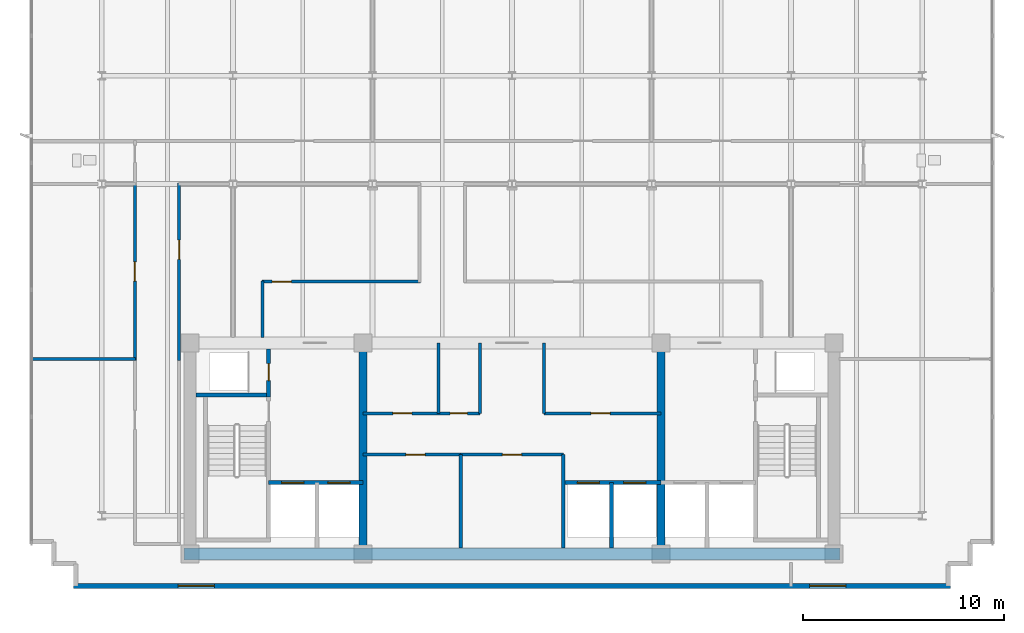
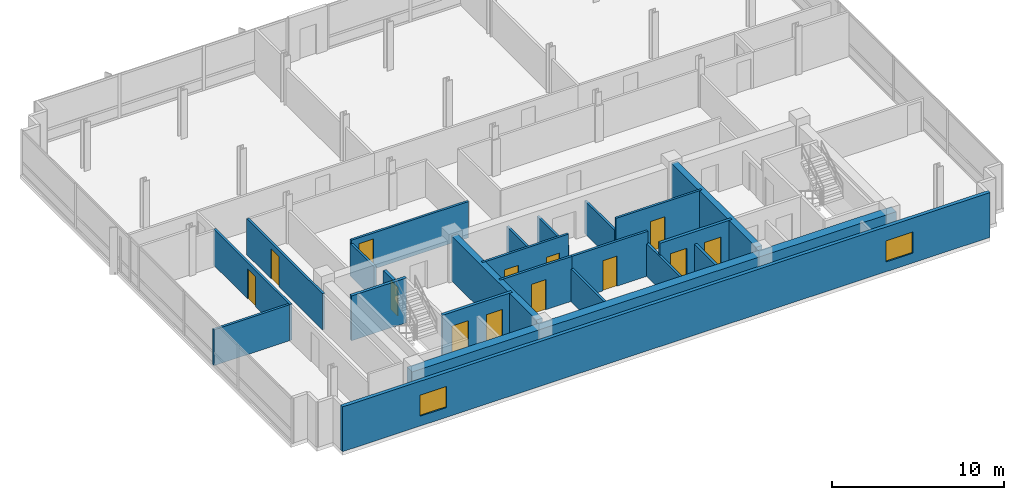
# One storey, part 8 of 13: 23 walls, 13 doors, 2 windows, 15 openings.
"""IFC4 building model written with IfcOpenShell, lengths in metres."""

from ifc_helpers import new_model, si_unit, direction, frame, frame_2d, origin, place, context, subcontext, project, spatial, rectangle, extrude, material, layer, layer_set, type_object, element, fill, save


model = new_model("IFC4")

# Units and contexts
model_context = context("Model", 3, precision=1e-05, world=origin(), true_north=direction((0.0, 1.0)))
body_context = subcontext(model_context, "Body", "Model", "MODEL_VIEW")
ifc_project = project(units=[si_unit("LENGTHUNIT", "METRE"), si_unit("AREAUNIT", "SQUARE_METRE"), si_unit("VOLUMEUNIT", "CUBIC_METRE"), si_unit("PLANEANGLEUNIT", "RADIAN"), si_unit("MASSUNIT", "GRAM", prefix="KILO")], contexts=[model_context])

# Site, building, storey
site_placement = place(None, origin())
site = spatial("IfcSite", under=ifc_project, at=site_placement, CompositionType="ELEMENT")
building_placement = place(site_placement, origin())
building = spatial("IfcBuilding", under=site, at=building_placement, Name="Solmavex Isthmus Hotel", CompositionType="ELEMENT")
storey_placement = place(building_placement, frame((0.0, 0.0, 276.449951171875)))
storey = spatial("IfcBuildingStorey", under=building, at=storey_placement, Name="L75", CompositionType="ELEMENT", Elevation=276.449951171875)

# Wall, openings, windows
ifc_material_1 = material(Name="Precast Concrete C40/50", Category="concrete")
ifc_layer_1 = layer(ifc_material_1, 0.25)
ifc_layer_set_1 = layer_set([ifc_layer_1], Name="Precast Concrete C40/50")
wall_type_1 = type_object("IfcWallType", Name="EW-TWR-250", PredefinedType="STANDARD", material=ifc_layer_set_1)
wall_1_placement = place(storey_placement, frame((-21.800048828125, -14.580078125, 0.0), z_axis=(0.0, 0.0, 1.0), x_axis=(1.0, 0.0, 0.0)))
wall_1 = element("IfcWall", 1, at=wall_1_placement, inside=storey, type_object=wall_type_1, Name="Tower Rear South Facade Wall L75", PredefinedType="STANDARD", context=body_context, shape_type="SweptSolid", body=[
    extrude(rectangle(XDim=43.60009765625, YDim=0.239990234375, at=frame_2d((21.800048828125, 0.0))), origin(), (0.0, 0.0, 1.0), 3.18994140625),
])
opening_1_placement = place(wall_1_placement, frame((5.2041015625, 0.0, 0.699951171875)))
opening_1 = element("IfcOpeningElement", 2, at=opening_1_placement, cuts=wall_1, Name="Opening WN-02", PredefinedType="OPENING", context=body_context, shape_type="SweptSolid", body=[
    extrude(rectangle(XDim=1.800048828125, YDim=1.5, at=frame_2d((0.89990234375, 0.75))), frame((0.0, 0.1298828125, 0.0), z_axis=(0.0, -1.0, 0.0), x_axis=(1.0, 0.0, 0.0)), (0.0, 0.0, 1.0), 0.260009765625),
])
opening_2_placement = place(wall_1_placement, frame((36.595947265625, 0.0, 0.699951171875)))
opening_2 = element("IfcOpeningElement", 3, at=opening_2_placement, cuts=wall_1, Name="Opening WN-02", PredefinedType="OPENING", context=body_context, shape_type="SweptSolid", body=[
    extrude(rectangle(XDim=1.800048828125, YDim=1.5, at=frame_2d((0.89990234375, 0.75))), frame((0.0, 0.1298828125, 0.0), z_axis=(0.0, -1.0, 0.0), x_axis=(1.0, 0.0, 0.0)), (0.0, 0.0, 1.0), 0.260009765625),
])
ifc_material_2 = material(Name="Clear low-E laminated glass", Category="glass")
window_type = type_object("IfcWindowType", Name="WIN-TWR-1800", PartitioningType="SINGLE_PANEL", PredefinedType="WINDOW", material=ifc_material_2)
window_1_placement = place(opening_1_placement, origin())
window_1 = element("IfcWindow", 4, at=window_1_placement, inside=storey, type_object=window_type, Name="South Facade Vision Window L75-S1", OverallHeight=1.5, OverallWidth=1.800048828125, PartitioningType="SINGLE_PANEL", PredefinedType="WINDOW", context=body_context, shape_type="SweptSolid", body=[
    extrude(rectangle(XDim=1.800048828125, YDim=1.5, at=frame_2d((0.89990234375, 0.75))), frame((0.0, 0.030029296875, 0.0), z_axis=(0.0, -1.0, 0.0), x_axis=(1.0, 0.0, 0.0)), (0.0, 0.0, 1.0), 0.06005859375),
])
fill(opening_1, window_1)
window_2_placement = place(opening_2_placement, origin())
window_2 = element("IfcWindow", 5, at=window_2_placement, inside=storey, type_object=window_type, Name="South Facade Vision Window L75-S2", OverallHeight=1.5, OverallWidth=1.800048828125, PartitioningType="SINGLE_PANEL", PredefinedType="WINDOW", context=body_context, shape_type="SweptSolid", body=[
    extrude(rectangle(XDim=1.800048828125, YDim=1.5, at=frame_2d((0.89990234375, 0.75))), frame((0.0, 0.030029296875, 0.0), z_axis=(0.0, -1.0, 0.0), x_axis=(1.0, 0.0, 0.0)), (0.0, 0.0, 1.0), 0.06005859375),
])
fill(opening_2, window_2)

# Wall, opening, door
ifc_material_3 = material(Name="Gypsum plasterboard lining", Category="gypsum")
ifc_layer_2 = layer(ifc_material_3, 0.159912109375)
ifc_layer_set_2 = layer_set([ifc_layer_2], Name="Gypsum plasterboard lining")
wall_type_2 = type_object("IfcWallType", Name="IW-COMP-160", PredefinedType="PARTITIONING", material=ifc_layer_set_2)
wall_2_placement = place(storey_placement, frame((-7.39990234375, -8.050048828125, 0.0), z_axis=(0.0, 0.0, 1.0), x_axis=(1.0, 0.0, 0.0)))
wall_2 = element("IfcWall", 6, at=wall_2_placement, inside=storey, type_object=wall_type_2, Name="Interior Partition Wall W-L75-REC-PLL-N", PredefinedType="PARTITIONING", context=body_context, shape_type="SweptSolid", body=[
    extrude(rectangle(XDim=4.849853515625, YDim=0.159912109375, at=frame_2d((2.4248046875, 0.0))), origin(), (0.0, 0.0, 1.0), 3.18994140625),
])
opening_3_placement = place(wall_2_placement, frame((2.125, 0.0, 0.0)))
opening_3 = element("IfcOpeningElement", 7, at=opening_3_placement, cuts=wall_2, Name="Opening ID-C095", PredefinedType="OPENING", context=body_context, shape_type="SweptSolid", body=[
    extrude(rectangle(XDim=0.949951171875, YDim=2.14990234375, at=frame_2d((0.47509765625, 1.074951171875))), frame((0.0, 0.08984375, 0.0), z_axis=(0.0, -1.0, 0.0), x_axis=(1.0, 0.0, 0.0)), (0.0, 0.0, 1.0), 0.179931640625),
])
ifc_material_4 = material(Name="Hardwood timber", Category="wood")
door_type_1 = type_object("IfcDoorType", Name="IDR-FD60-0950", OperationType="NOTDEFINED", PredefinedType="DOOR", material=ifc_material_4)
door_1_placement = place(opening_3_placement, origin())
door_1 = element("IfcDoor", 8, at=door_1_placement, inside=storey, type_object=door_type_1, Name="Linen Reserve Door L75", OperationType="SINGLE_SWING_LEFT", OverallHeight=2.14990234375, OverallWidth=0.949951171875, PredefinedType="DOOR", context=body_context, shape_type="SweptSolid", body=[
    extrude(rectangle(XDim=0.949951171875, YDim=2.14990234375, at=frame_2d((0.47509765625, 1.074951171875))), frame((0.0, 0.02490234375, 0.0), z_axis=(0.0, -1.0, 0.0), x_axis=(1.0, 0.0, 0.0)), (0.0, 0.0, 1.0), 0.050048828125),
])
fill(opening_3, door_1)

# Wall
wall_3_placement = place(storey_placement, frame((-2.550048828125, -12.699951171875, 0.0), z_axis=(0.0, 0.0, 1.0), x_axis=(0.0, 1.0, 0.0)))
element("IfcWall", 9, at=wall_3_placement, inside=storey, type_object=wall_type_2, Name="Interior Partition Wall W-L75-REC-PLL-E", PredefinedType="PARTITIONING", context=body_context, shape_type="SweptSolid", body=[
    extrude(rectangle(XDim=4.64990234375, YDim=0.159912109375, at=frame_2d((2.324951171875, 0.0))), origin(), (0.0, 0.0, 1.0), 2.324951171875),
])

# Wall, opening, door
wall_4_placement = place(storey_placement, frame((-2.550048828125, -8.050048828125, 0.0), z_axis=(0.0, 0.0, 1.0), x_axis=(1.0, 0.0, 0.0)))
wall_4 = element("IfcWall", 10, at=wall_4_placement, inside=storey, type_object=wall_type_2, Name="Interior Partition Wall W-L75-REC-PLM-N", PredefinedType="PARTITIONING", context=body_context, shape_type="SweptSolid", body=[
    extrude(rectangle(XDim=5.10009765625, YDim=0.159912109375, at=frame_2d((2.550048828125, 0.0))), origin(), (0.0, 0.0, 1.0), 3.18994140625),
])
opening_4_placement = place(wall_4_placement, frame((2.074951171875, 0.0, 0.0)))
opening_4 = element("IfcOpeningElement", 11, at=opening_4_placement, cuts=wall_4, Name="Opening ID-C095", PredefinedType="OPENING", context=body_context, shape_type="SweptSolid", body=[
    extrude(rectangle(XDim=0.949951171875, YDim=2.14990234375, at=frame_2d((0.47509765625, 1.074951171875))), frame((0.0, 0.08984375, 0.0), z_axis=(0.0, -1.0, 0.0), x_axis=(1.0, 0.0, 0.0)), (0.0, 0.0, 1.0), 0.179931640625),
])
door_2_placement = place(opening_4_placement, origin())
door_2 = element("IfcDoor", 12, at=door_2_placement, inside=storey, type_object=door_type_1, Name="Butler Store Door L75", OperationType="SINGLE_SWING_RIGHT", OverallHeight=2.14990234375, OverallWidth=0.949951171875, PredefinedType="DOOR", context=body_context, shape_type="SweptSolid", body=[
    extrude(rectangle(XDim=0.949951171875, YDim=2.14990234375, at=frame_2d((0.47509765625, 1.074951171875))), frame((0.0, 0.02490234375, 0.0), z_axis=(0.0, -1.0, 0.0), x_axis=(1.0, 0.0, 0.0)), (0.0, 0.0, 1.0), 0.050048828125),
])
fill(opening_4, door_2)

# Walls
wall_5_placement = place(storey_placement, frame((2.550048828125, -12.699951171875, 0.0), z_axis=(0.0, 0.0, 1.0), x_axis=(0.0, 1.0, 0.0)))
element("IfcWall", 13, at=wall_5_placement, inside=storey, type_object=wall_type_2, Name="Interior Partition Wall W-L75-REC-PLM-E", PredefinedType="PARTITIONING", context=body_context, shape_type="SweptSolid", body=[
    extrude(rectangle(XDim=4.64990234375, YDim=0.159912109375, at=frame_2d((2.324951171875, 0.0))), origin(), (0.0, 0.0, 1.0), 2.324951171875),
])
wall_6_placement = place(storey_placement, frame((-18.7099609375, -3.300048828125, 0.0), z_axis=(0.0, 0.0, 1.0), x_axis=(-1.0, 0.0, 0.0)))
element("IfcWall", 14, at=wall_6_placement, inside=storey, type_object=wall_type_2, Name="Interior Partition Wall W-L75-P040", PredefinedType="PARTITIONING", context=body_context, shape_type="SweptSolid", body=[
    extrude(rectangle(XDim=5.2099609375, YDim=0.159912109375, at=frame_2d((2.60498046875, 0.0))), origin(), (0.0, 0.0, 1.0), 2.5576171875),
])

# Wall, openings, doors
ifc_layer_3 = layer(ifc_material_3, 0.14990234375)
ifc_layer_set_3 = layer_set([ifc_layer_3], Name="Gypsum plasterboard lining")
wall_type_3 = type_object("IfcWallType", Name="IW-CORR-150", PredefinedType="PARTITIONING", material=ifc_layer_set_3)
wall_7_placement = place(storey_placement, frame((-7.39990234375, -6.0, 0.0), z_axis=(0.0, 0.0, 1.0), x_axis=(1.0, 0.0, 0.0)))
wall_7 = element("IfcWall", 15, at=wall_7_placement, inside=storey, type_object=wall_type_3, Name="Interior Partition Wall W-L75-BOH-WS", PredefinedType="PARTITIONING", context=body_context, shape_type="SweptSolid", body=[
    extrude(rectangle(XDim=5.7998046875, YDim=0.14990234375, at=frame_2d((2.89990234375, 0.0))), origin(), (0.0, 0.0, 1.0), 3.18994140625),
])
opening_5_placement = place(wall_7_placement, frame((1.47509765625, 0.0, 0.0)))
opening_5 = element("IfcOpeningElement", 16, at=opening_5_placement, cuts=wall_7, Name="Opening ID-C095", PredefinedType="OPENING", context=body_context, shape_type="SweptSolid", body=[
    extrude(rectangle(XDim=0.949951171875, YDim=2.14990234375, at=frame_2d((0.47509765625, 1.074951171875))), frame((0.0, 0.0849609375, 0.0), z_axis=(0.0, -1.0, 0.0), x_axis=(1.0, 0.0, 0.0)), (0.0, 0.0, 1.0), 0.169921875),
])
opening_6_placement = place(wall_7_placement, frame((4.324951171875, 0.0, 0.0)))
opening_6 = element("IfcOpeningElement", 17, at=opening_6_placement, cuts=wall_7, Name="Opening ID-R085", PredefinedType="OPENING", context=body_context, shape_type="SweptSolid", body=[
    extrude(rectangle(XDim=0.85009765625, YDim=2.050048828125, at=frame_2d((0.425048828125, 1.02490234375))), frame((0.0, 0.0849609375, 0.0), z_axis=(0.0, -1.0, 0.0), x_axis=(1.0, 0.0, 0.0)), (0.0, 0.0, 1.0), 0.169921875),
])
ifc_material_5 = material(Name="Steel ASTM A500 Grade C", Category="steel")
door_type_2 = type_object("IfcDoorType", Name="IDR-FD60-0850", OperationType="NOTDEFINED", PredefinedType="DOOR", material=ifc_material_5)
door_3_placement = place(opening_6_placement, frame((0.85009765625, 0.0, 0.0), z_axis=(0.0, 0.0, 1.0), x_axis=(-1.0, 0.0, 0.0)))
door_3 = element("IfcDoor", 18, at=door_3_placement, inside=storey, type_object=door_type_2, Name="Cleaner Closet Door L75", OperationType="SINGLE_SWING_RIGHT", OverallHeight=2.050048828125, OverallWidth=0.85009765625, PredefinedType="DOOR", context=body_context, shape_type="SweptSolid", body=[
    extrude(rectangle(XDim=0.85009765625, YDim=2.050048828125, at=frame_2d((0.425048828125, 1.02490234375))), frame((0.0, 0.02490234375, 0.0), z_axis=(0.0, -1.0, 0.0), x_axis=(1.0, 0.0, 0.0)), (0.0, 0.0, 1.0), 0.050048828125),
])
fill(opening_6, door_3)
door_4_placement = place(opening_5_placement, frame((0.949951171875, 0.0, 0.0), z_axis=(0.0, 0.0, 1.0), x_axis=(-1.0, 0.0, 0.0)))
door_4 = element("IfcDoor", 19, at=door_4_placement, inside=storey, type_object=door_type_1, Name="Housekeeping Store Door L75", OperationType="SINGLE_SWING_LEFT", OverallHeight=2.14990234375, OverallWidth=0.949951171875, PredefinedType="DOOR", context=body_context, shape_type="SweptSolid", body=[
    extrude(rectangle(XDim=0.949951171875, YDim=2.14990234375, at=frame_2d((0.47509765625, 1.074951171875))), frame((0.0, 0.02490234375, 0.0), z_axis=(0.0, -1.0, 0.0), x_axis=(1.0, 0.0, 0.0)), (0.0, 0.0, 1.0), 0.050048828125),
])
fill(opening_5, door_4)

# Wall
wall_8_placement = place(storey_placement, frame((-1.60009765625, -6.0, 0.0), z_axis=(0.0, 0.0, 1.0), x_axis=(0.0, 1.0, 0.0)))
element("IfcWall", 20, at=wall_8_placement, inside=storey, type_object=wall_type_3, Name="Interior Partition Wall W-L75-BOH-WE", PredefinedType="PARTITIONING", context=body_context, shape_type="SweptSolid", body=[
    extrude(rectangle(XDim=3.5, YDim=0.14990234375, at=frame_2d((1.75, 0.0))), origin(), (0.0, 0.0, 1.0), 2.324951171875),
])

# Wall, opening, door
wall_9_placement = place(storey_placement, frame((1.60009765625, -6.0, 0.0), z_axis=(0.0, 0.0, 1.0), x_axis=(1.0, 0.0, 0.0)))
wall_9 = element("IfcWall", 21, at=wall_9_placement, inside=storey, type_object=wall_type_3, Name="Interior Partition Wall W-L75-BOH-ES", PredefinedType="PARTITIONING", context=body_context, shape_type="SweptSolid", body=[
    extrude(rectangle(XDim=5.7998046875, YDim=0.14990234375, at=frame_2d((2.89990234375, 0.0))), origin(), (0.0, 0.0, 1.0), 3.18994140625),
])
opening_7_placement = place(wall_9_placement, frame((2.324951171875, 0.0, 0.0)))
opening_7 = element("IfcOpeningElement", 22, at=opening_7_placement, cuts=wall_9, Name="Opening ID-C095", PredefinedType="OPENING", context=body_context, shape_type="SweptSolid", body=[
    extrude(rectangle(XDim=0.949951171875, YDim=2.14990234375, at=frame_2d((0.47509765625, 1.074951171875))), frame((0.0, 0.0849609375, 0.0), z_axis=(0.0, -1.0, 0.0), x_axis=(1.0, 0.0, 0.0)), (0.0, 0.0, 1.0), 0.169921875),
])
door_5_placement = place(opening_7_placement, frame((0.949951171875, 0.0, 0.0), z_axis=(0.0, 0.0, 1.0), x_axis=(-1.0, 0.0, 0.0)))
door_5 = element("IfcDoor", 23, at=door_5_placement, inside=storey, type_object=door_type_1, Name="Butler Pantry Door L75", OperationType="SINGLE_SWING_RIGHT", OverallHeight=2.14990234375, OverallWidth=0.949951171875, PredefinedType="DOOR", context=body_context, shape_type="SweptSolid", body=[
    extrude(rectangle(XDim=0.949951171875, YDim=2.14990234375, at=frame_2d((0.47509765625, 1.074951171875))), frame((0.0, 0.02490234375, 0.0), z_axis=(0.0, -1.0, 0.0), x_axis=(1.0, 0.0, 0.0)), (0.0, 0.0, 1.0), 0.050048828125),
])
fill(opening_7, door_5)

# Wall
wall_10_placement = place(storey_placement, frame((1.60009765625, -6.0, 0.0), z_axis=(0.0, 0.0, 1.0), x_axis=(0.0, 1.0, 0.0)))
element("IfcWall", 24, at=wall_10_placement, inside=storey, type_object=wall_type_3, Name="Interior Partition Wall W-L75-BOH-EW", PredefinedType="PARTITIONING", context=body_context, shape_type="SweptSolid", body=[
    extrude(rectangle(XDim=3.5, YDim=0.14990234375, at=frame_2d((1.75, 0.0))), origin(), (0.0, 0.0, 1.0), 2.324951171875),
])

# Wall, opening, door
wall_11_placement = place(storey_placement, frame((-16.550048828125, 5.43994140625, 0.0), z_axis=(0.0, 0.0, 1.0), x_axis=(0.0, -1.0, 0.0)))
wall_11 = element("IfcWall", 25, at=wall_11_placement, inside=storey, type_object=wall_type_3, Name="Interior Partition Wall W-L75-P007", PredefinedType="PARTITIONING", context=body_context, shape_type="SweptSolid", body=[
    extrude(rectangle(XDim=8.822021484375, YDim=0.14990234375, at=frame_2d((4.4111328125, 0.0))), origin(), (0.0, 0.0, 1.0), 2.572265625),
])
opening_8_placement = place(wall_11_placement, frame((2.83447265625, 0.0, 0.0)))
opening_8 = element("IfcOpeningElement", 26, at=opening_8_placement, cuts=wall_11, Name="Opening ID-C095", PredefinedType="OPENING", context=body_context, shape_type="SweptSolid", body=[
    extrude(rectangle(XDim=0.949951171875, YDim=2.14990234375, at=frame_2d((0.47509765625, 1.074951171875))), frame((0.0, 0.0849609375, 0.0), z_axis=(0.0, -1.0, 0.0), x_axis=(1.0, 0.0, 0.0)), (0.0, 0.0, 1.0), 0.169921875),
])
door_6_placement = place(opening_8_placement, frame((0.949951171875, 0.0, 0.0), z_axis=(0.0, 0.0, 1.0), x_axis=(-1.0, 0.0, 0.0)))
door_6 = element("IfcDoor", 27, at=door_6_placement, inside=storey, type_object=door_type_1, Name="Private Chef Kitchen Door L75-06", OperationType="SINGLE_SWING_RIGHT", OverallHeight=2.14990234375, OverallWidth=0.949951171875, PredefinedType="DOOR", context=body_context, shape_type="SweptSolid", body=[
    extrude(rectangle(XDim=0.949951171875, YDim=2.14990234375, at=frame_2d((0.47509765625, 1.074951171875))), frame((0.0, 0.02490234375, 0.0), z_axis=(0.0, -1.0, 0.0), x_axis=(1.0, 0.0, 0.0)), (0.0, 0.0, 1.0), 0.050048828125),
])
fill(opening_8, door_6)

wall_12_placement = place(storey_placement, frame((-18.75, -3.382080078125, 0.0), z_axis=(0.0, 0.0, 1.0), x_axis=(0.0, 1.0, 0.0)))
wall_12 = element("IfcWall", 28, at=wall_12_placement, inside=storey, type_object=wall_type_3, Name="Interior Partition Wall W-L75-P008", PredefinedType="PARTITIONING", context=body_context, shape_type="SweptSolid", body=[
    extrude(rectangle(XDim=8.864013671875, YDim=0.14990234375, at=frame_2d((4.43212890625, 0.0))), origin(), (0.0, 0.0, 1.0), 2.572265625),
])
opening_9_placement = place(wall_12_placement, frame((3.95703125, 0.0, 0.0)))
opening_9 = element("IfcOpeningElement", 29, at=opening_9_placement, cuts=wall_12, Name="Opening ID-C095", PredefinedType="OPENING", context=body_context, shape_type="SweptSolid", body=[
    extrude(rectangle(XDim=0.949951171875, YDim=2.14990234375, at=frame_2d((0.47509765625, 1.074951171875))), frame((0.0, 0.0849609375, 0.0), z_axis=(0.0, -1.0, 0.0), x_axis=(1.0, 0.0, 0.0)), (0.0, 0.0, 1.0), 0.169921875),
])
door_7_placement = place(opening_9_placement, origin())
door_7 = element("IfcDoor", 30, at=door_7_placement, inside=storey, type_object=door_type_1, Name="Wine Tasting Lounge Door L75-07", OperationType="SINGLE_SWING_LEFT", OverallHeight=2.14990234375, OverallWidth=0.949951171875, PredefinedType="DOOR", context=body_context, shape_type="SweptSolid", body=[
    extrude(rectangle(XDim=0.949951171875, YDim=2.14990234375, at=frame_2d((0.47509765625, 1.074951171875))), frame((0.0, 0.02490234375, 0.0), z_axis=(0.0, -1.0, 0.0), x_axis=(1.0, 0.0, 0.0)), (0.0, 0.0, 1.0), 0.050048828125),
])
fill(opening_9, door_7)

# Wall
wall_13_placement = place(storey_placement, frame((-12.39990234375, -2.239990234375, 0.0), z_axis=(0.0, 0.0, 1.0), x_axis=(0.0, 1.0, 0.0)))
element("IfcWall", 31, at=wall_13_placement, inside=storey, type_object=wall_type_3, Name="Interior Partition Wall W-L75-P009", PredefinedType="PARTITIONING", context=body_context, shape_type="SweptSolid", body=[
    extrude(rectangle(XDim=2.830078125, YDim=0.14990234375, at=frame_2d((1.4150390625, 0.0))), origin(), (0.0, 0.0, 1.0), 2.324951171875),
])

# Wall, opening, door
wall_14_placement = place(storey_placement, frame((-12.43994140625, 0.550048828125, 0.0), z_axis=(0.0, 0.0, 1.0), x_axis=(1.0, 0.0, 0.0)))
wall_14 = element("IfcWall", 32, at=wall_14_placement, inside=storey, type_object=wall_type_3, Name="Interior Partition Wall W-L75-P010", PredefinedType="PARTITIONING", context=body_context, shape_type="SweptSolid", body=[
    extrude(rectangle(XDim=7.891845703125, YDim=0.14990234375, at=frame_2d((3.94580078125, 0.0))), origin(), (0.0, 0.0, 1.0), 2.572265625),
])
opening_10_placement = place(wall_14_placement, frame((0.51806640625, 0.0, 0.0)))
opening_10 = element("IfcOpeningElement", 33, at=opening_10_placement, cuts=wall_14, Name="Opening ID-C095", PredefinedType="OPENING", context=body_context, shape_type="SweptSolid", body=[
    extrude(rectangle(XDim=0.949951171875, YDim=2.14990234375, at=frame_2d((0.47509765625, 1.074951171875))), frame((0.0, 0.0849609375, 0.0), z_axis=(0.0, -1.0, 0.0), x_axis=(1.0, 0.0, 0.0)), (0.0, 0.0, 1.0), 0.169921875),
])
door_8_placement = place(opening_10_placement, origin())
door_8 = element("IfcDoor", 34, at=door_8_placement, inside=storey, type_object=door_type_1, Name="Catering Servery Kitchen Door L75-08", OperationType="SINGLE_SWING_RIGHT", OverallHeight=2.14990234375, OverallWidth=0.949951171875, PredefinedType="DOOR", context=body_context, shape_type="SweptSolid", body=[
    extrude(rectangle(XDim=0.949951171875, YDim=2.14990234375, at=frame_2d((0.47509765625, 1.074951171875))), frame((0.0, 0.02490234375, 0.0), z_axis=(0.0, -1.0, 0.0), x_axis=(1.0, 0.0, 0.0)), (0.0, 0.0, 1.0), 0.050048828125),
])
fill(opening_10, door_8)

# Walls
ifc_layer_4 = layer(ifc_material_3, 0.1201171875)
ifc_layer_set_4 = layer_set([ifc_layer_4], Name="Gypsum plasterboard lining")
wall_type_4 = type_object("IfcWallType", Name="IW-PART-120", PredefinedType="PARTITIONING", material=ifc_layer_set_4)
wall_15_placement = place(storey_placement, frame((-3.64990234375, -6.0, 0.0), z_axis=(0.0, 0.0, 1.0), x_axis=(0.0, 1.0, 0.0)))
element("IfcWall", 35, at=wall_15_placement, inside=storey, type_object=wall_type_4, Name="Interior Partition Wall W-L75-BOH-WM1", PredefinedType="PARTITIONING", context=body_context, shape_type="SweptSolid", body=[
    extrude(rectangle(XDim=3.5, YDim=0.14990234375, at=frame_2d((1.75, 0.0))), origin(), (0.0, 0.0, 1.0), 2.324951171875),
])
ifc_material_6 = material(Name="Concrete C40/50", Category="concrete")
ifc_layer_5 = layer(ifc_material_6, 0.179931640625)
ifc_layer_set_5 = layer_set([ifc_layer_5], Name="Concrete C40/50")
wall_type_5 = type_object("IfcWallType", Name="IW-SHAFT-180", PredefinedType="PARTITIONING", material=ifc_layer_set_5)
wall_16_placement = place(storey_placement, frame((4.949951171875, -12.699951171875, 0.0), z_axis=(0.0, 0.0, 1.0), x_axis=(0.0, 1.0, 0.0)))
element("IfcWall", 36, at=wall_16_placement, inside=storey, type_object=wall_type_5, Name="Interior Partition Wall W-L75-SH-PLH-M", PredefinedType="PARTITIONING", context=body_context, shape_type="SweptSolid", body=[
    extrude(rectangle(XDim=3.25, YDim=0.179931640625, at=frame_2d((1.625, 0.0))), origin(), (0.0, 0.0, 1.0), 2.324951171875),
])

# Wall, opening, door
ifc_layer_6 = layer(ifc_material_6, 0.199951171875)
ifc_layer_set_6 = layer_set([ifc_layer_6], Name="Concrete C40/50")
wall_type_6 = type_object("IfcWallType", Name="IW-SHAFT-200", PredefinedType="PARTITIONING", material=ifc_layer_set_6)
wall_17_placement = place(storey_placement, frame((-12.10009765625, -5.199951171875, 0.0), z_axis=(0.0, 0.0, 1.0), x_axis=(0.0, 1.0, 0.0)))
wall_17 = element("IfcWall", 37, at=wall_17_placement, inside=storey, type_object=wall_type_6, Name="Interior Partition Wall W-L75-RSW-E", PredefinedType="PARTITIONING", context=body_context, shape_type="SweptSolid", body=[
    extrude(rectangle(XDim=2.39990234375, YDim=0.199951171875, at=frame_2d((1.199951171875, 0.0))), origin(), (0.0, 0.0, 1.0), 2.324951171875),
])
opening_11_placement = place(wall_17_placement, frame((0.824951171875, 0.0, 0.0)))
opening_11 = element("IfcOpeningElement", 38, at=opening_11_placement, cuts=wall_17, Name="Opening ID-R085", PredefinedType="OPENING", context=body_context, shape_type="SweptSolid", body=[
    extrude(rectangle(XDim=0.85009765625, YDim=2.050048828125, at=frame_2d((0.425048828125, 1.02490234375))), frame((0.0, 0.10986328125, 0.0), z_axis=(0.0, -1.0, 0.0), x_axis=(1.0, 0.0, 0.0)), (0.0, 0.0, 1.0), 0.219970703125),
])
door_9_placement = place(opening_11_placement, origin())
door_9 = element("IfcDoor", 39, at=door_9_placement, inside=storey, type_object=door_type_2, Name="Electrical Riser Door L75", OperationType="SINGLE_SWING_RIGHT", OverallHeight=2.050048828125, OverallWidth=0.85009765625, PredefinedType="DOOR", context=body_context, shape_type="SweptSolid", body=[
    extrude(rectangle(XDim=0.85009765625, YDim=2.050048828125, at=frame_2d((0.425048828125, 1.02490234375))), frame((0.0, 0.02490234375, 0.0), z_axis=(0.0, -1.0, 0.0), x_axis=(1.0, 0.0, 0.0)), (0.0, 0.0, 1.0), 0.050048828125),
])
fill(opening_11, door_9)

# Wall, openings, doors
wall_18_placement = place(storey_placement, frame((-12.10009765625, -9.449951171875, 0.0), z_axis=(0.0, 0.0, 1.0), x_axis=(1.0, 0.0, 0.0)))
wall_18 = element("IfcWall", 40, at=wall_18_placement, inside=storey, type_object=wall_type_6, Name="Interior Partition Wall W-L75-FFLW-S", PredefinedType="PARTITIONING", context=body_context, shape_type="SweptSolid", body=[
    extrude(rectangle(XDim=4.7001953125, YDim=0.199951171875, at=frame_2d((2.35009765625, 0.0))), origin(), (0.0, 0.0, 1.0), 3.18994140625),
])
opening_12_placement = place(wall_18_placement, frame((0.64990234375, 0.0, 0.0)))
opening_12 = element("IfcOpeningElement", 41, at=opening_12_placement, cuts=wall_18, Name="Opening LD-FF", PredefinedType="OPENING", context=body_context, shape_type="SweptSolid", body=[
    extrude(rectangle(XDim=1.10009765625, YDim=2.199951171875, at=frame_2d((0.550048828125, 1.10009765625))), frame((0.0, 0.10986328125, 0.0), z_axis=(0.0, -1.0, 0.0), x_axis=(1.0, 0.0, 0.0)), (0.0, 0.0, 1.0), 0.219970703125),
])
opening_13_placement = place(wall_18_placement, frame((2.949951171875, 0.0, 0.0)))
opening_13 = element("IfcOpeningElement", 42, at=opening_13_placement, cuts=wall_18, Name="Opening LD-SV", PredefinedType="OPENING", context=body_context, shape_type="SweptSolid", body=[
    extrude(rectangle(XDim=1.10009765625, YDim=2.199951171875, at=frame_2d((0.550048828125, 1.10009765625))), frame((0.0, 0.10986328125, 0.0), z_axis=(0.0, -1.0, 0.0), x_axis=(1.0, 0.0, 0.0)), (0.0, 0.0, 1.0), 0.219970703125),
])
ifc_material_7 = material(Name="Stainless steel 316", Category="steel")
door_type_3 = type_object("IfcDoorType", Name="LDR-FF-1100", OperationType="NOTDEFINED", PredefinedType="DOOR", material=ifc_material_7)
door_10_placement = place(opening_12_placement, origin())
door_10 = element("IfcDoor", 43, at=door_10_placement, inside=storey, type_object=door_type_3, Name="Lift Landing Door FFL-1 L75", OperationType="SLIDING_TO_LEFT", OverallHeight=2.199951171875, OverallWidth=1.10009765625, PredefinedType="DOOR", context=body_context, shape_type="SweptSolid", body=[
    extrude(rectangle(XDim=1.10009765625, YDim=2.199951171875, at=frame_2d((0.550048828125, 1.10009765625))), frame((0.0, 0.02490234375, 0.0), z_axis=(0.0, -1.0, 0.0), x_axis=(1.0, 0.0, 0.0)), (0.0, 0.0, 1.0), 0.050048828125),
])
fill(opening_12, door_10)
door_type_4 = type_object("IfcDoorType", Name="LDR-SV-1100", OperationType="NOTDEFINED", PredefinedType="DOOR", material=ifc_material_7)
door_11_placement = place(opening_13_placement, origin())
door_11 = element("IfcDoor", 44, at=door_11_placement, inside=storey, type_object=door_type_4, Name="Lift Landing Door SVL-1 L75", OperationType="SLIDING_TO_RIGHT", OverallHeight=2.199951171875, OverallWidth=1.10009765625, PredefinedType="DOOR", context=body_context, shape_type="SweptSolid", body=[
    extrude(rectangle(XDim=1.10009765625, YDim=2.199951171875, at=frame_2d((0.550048828125, 1.10009765625))), frame((0.0, 0.02490234375, 0.0), z_axis=(0.0, -1.0, 0.0), x_axis=(1.0, 0.0, 0.0)), (0.0, 0.0, 1.0), 0.050048828125),
])
fill(opening_13, door_11)

wall_19_placement = place(storey_placement, frame((2.550048828125, -9.449951171875, 0.0), z_axis=(0.0, 0.0, 1.0), x_axis=(1.0, 0.0, 0.0)))
wall_19 = element("IfcWall", 45, at=wall_19_placement, inside=storey, type_object=wall_type_6, Name="Interior Partition Wall W-L75-SH-PLH", PredefinedType="PARTITIONING", context=body_context, shape_type="SweptSolid", body=[
    extrude(rectangle(XDim=4.849853515625, YDim=0.199951171875, at=frame_2d((2.4248046875, 0.0))), origin(), (0.0, 0.0, 1.0), 3.18994140625),
])
opening_14_placement = place(wall_19_placement, frame((0.699951171875, 0.0, 0.0)))
opening_14 = element("IfcOpeningElement", 46, at=opening_14_placement, cuts=wall_19, Name="Opening LD-PL", PredefinedType="OPENING", context=body_context, shape_type="SweptSolid", body=[
    extrude(rectangle(XDim=1.10009765625, YDim=2.199951171875, at=frame_2d((0.550048828125, 1.10009765625))), frame((0.0, 0.10986328125, 0.0), z_axis=(0.0, -1.0, 0.0), x_axis=(1.0, 0.0, 0.0)), (0.0, 0.0, 1.0), 0.219970703125),
])
opening_15_placement = place(wall_19_placement, frame((3.0, 0.0, 0.0)))
opening_15 = element("IfcOpeningElement", 47, at=opening_15_placement, cuts=wall_19, Name="Opening LD-PL", PredefinedType="OPENING", context=body_context, shape_type="SweptSolid", body=[
    extrude(rectangle(XDim=1.10009765625, YDim=2.199951171875, at=frame_2d((0.550048828125, 1.10009765625))), frame((0.0, 0.10986328125, 0.0), z_axis=(0.0, -1.0, 0.0), x_axis=(1.0, 0.0, 0.0)), (0.0, 0.0, 1.0), 0.219970703125),
])
door_type_5 = type_object("IfcDoorType", Name="LDR-PL-1100", OperationType="NOTDEFINED", PredefinedType="DOOR", material=ifc_material_7)
door_12_placement = place(opening_14_placement, origin())
door_12 = element("IfcDoor", 48, at=door_12_placement, inside=storey, type_object=door_type_5, Name="Lift Landing Door PLH1 L75", OperationType="SLIDING_TO_LEFT", OverallHeight=2.199951171875, OverallWidth=1.10009765625, PredefinedType="DOOR", context=body_context, shape_type="SweptSolid", body=[
    extrude(rectangle(XDim=1.10009765625, YDim=2.199951171875, at=frame_2d((0.550048828125, 1.10009765625))), frame((0.0, 0.02490234375, 0.0), z_axis=(0.0, -1.0, 0.0), x_axis=(1.0, 0.0, 0.0)), (0.0, 0.0, 1.0), 0.050048828125),
])
fill(opening_14, door_12)
door_13_placement = place(opening_15_placement, origin())
door_13 = element("IfcDoor", 49, at=door_13_placement, inside=storey, type_object=door_type_5, Name="Lift Landing Door PLH2 L75", OperationType="SLIDING_TO_LEFT", OverallHeight=2.199951171875, OverallWidth=1.10009765625, PredefinedType="DOOR", context=body_context, shape_type="SweptSolid", body=[
    extrude(rectangle(XDim=1.10009765625, YDim=2.199951171875, at=frame_2d((0.550048828125, 1.10009765625))), frame((0.0, 0.02490234375, 0.0), z_axis=(0.0, -1.0, 0.0), x_axis=(1.0, 0.0, 0.0)), (0.0, 0.0, 1.0), 0.050048828125),
])
fill(opening_15, door_13)

# Walls
ifc_material_8 = material(Name="Concrete C50/60", Category="concrete")
ifc_layer_7 = layer(ifc_material_8, 0.39990234375)
ifc_layer_set_7 = layer_set([ifc_layer_7], Name="Concrete C50/60")
wall_type_7 = type_object("IfcWallType", Name="WALL-CW-400H", PredefinedType="SHEAR", material=ifc_layer_set_7)
for number, where, z_axis, x_axis, name in (
    (50, (-7.39990234375, -12.699951171875, 0.0), (0.0, 0.0, 1.0), (0.0, 1.0, 0.0), "Core Cross Shear Wall C1 L75"),
    (51, (7.39990234375, -12.699951171875, 0.0), (0.0, 0.0, 1.0), (0.0, 1.0, 0.0), "Core Cross Shear Wall C2 L75"),
):
    element("IfcWall", number, at=place(storey_placement, frame(where, z_axis=z_axis, x_axis=x_axis)), inside=storey, type_object=wall_type_7, Name=name, PredefinedType="SHEAR", context=body_context, shape_type="SweptSolid", body=[
        extrude(rectangle(XDim=9.89990234375, YDim=0.39990234375, at=frame_2d((4.949951171875, 0.0))), origin(), (0.0, 0.0, 1.0), 3.18994140625),
    ])
ifc_layer_8 = layer(ifc_material_8, 0.60009765625)
ifc_layer_set_8 = layer_set([ifc_layer_8], Name="Concrete C50/60")
wall_type_8 = type_object("IfcWallType", Name="WALL-CW-600", PredefinedType="SHEAR", material=ifc_layer_set_8)
wall_20_placement = place(storey_placement, frame((-16.300048828125, -13.0, 0.0), z_axis=(0.0, 0.0, 1.0), x_axis=(1.0, 0.0, 0.0)))
element("IfcWall", 52, at=wall_20_placement, inside=storey, type_object=wall_type_8, Name="Core Shear Wall South L75", PredefinedType="SHEAR", context=body_context, shape_type="SweptSolid", body=[
    extrude(rectangle(XDim=32.60009765625, YDim=0.60009765625, at=frame_2d((16.300048828125, 0.0))), origin(), (0.0, 0.0, 1.0), 2.91015625),
])
ifc_layer_9 = layer(ifc_material_6, 0.199951171875)
ifc_layer_set_9 = layer_set([ifc_layer_9], Name="Concrete C40/50")
wall_type_9 = type_object("IfcWallType", Name="WALL-SW-200", PredefinedType="SOLIDWALL", material=ifc_layer_set_9)
wall_21_placement = place(storey_placement, frame((-15.699951171875, -5.10009765625, 0.0), z_axis=(0.0, 0.0, 1.0), x_axis=(1.0, 0.0, 0.0)))
element("IfcWall", 53, at=wall_21_placement, inside=storey, type_object=wall_type_9, Name="Stairwell Structural Wall SW-L75-ST1-N", PredefinedType="SOLIDWALL", context=body_context, shape_type="SweptSolid", body=[
    extrude(rectangle(XDim=3.699951171875, YDim=0.199951171875, at=frame_2d((1.85009765625, 0.0))), origin(), (0.0, 0.0, 1.0), 3.18994140625),
])

save(model, "model.ifc")
